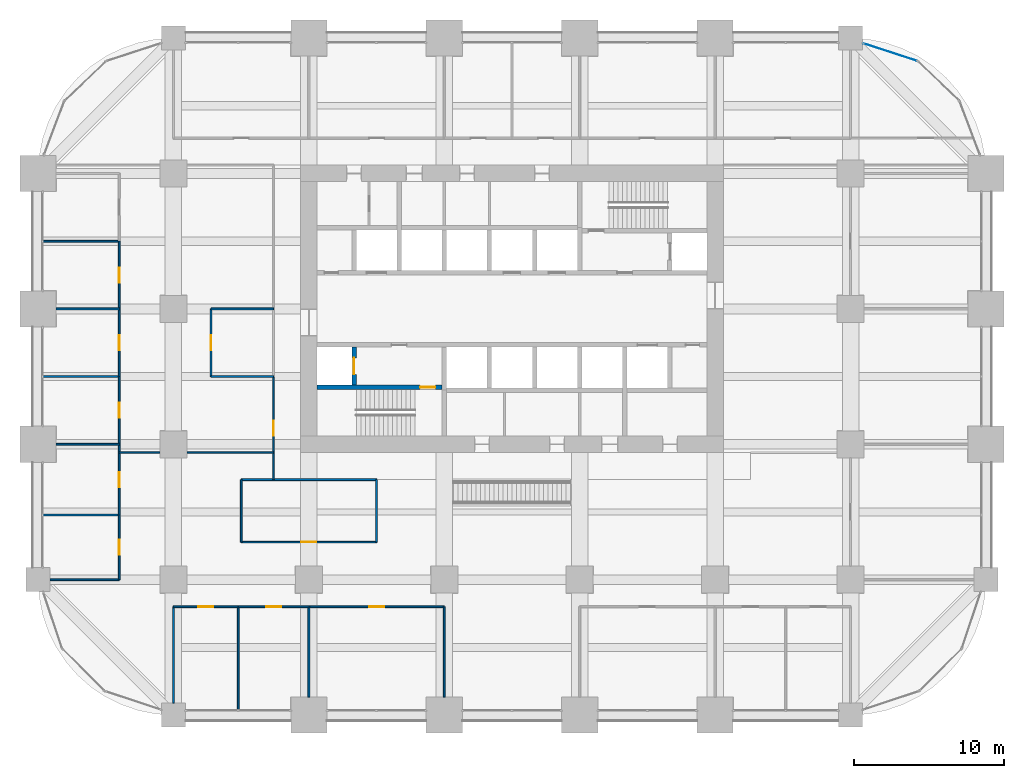
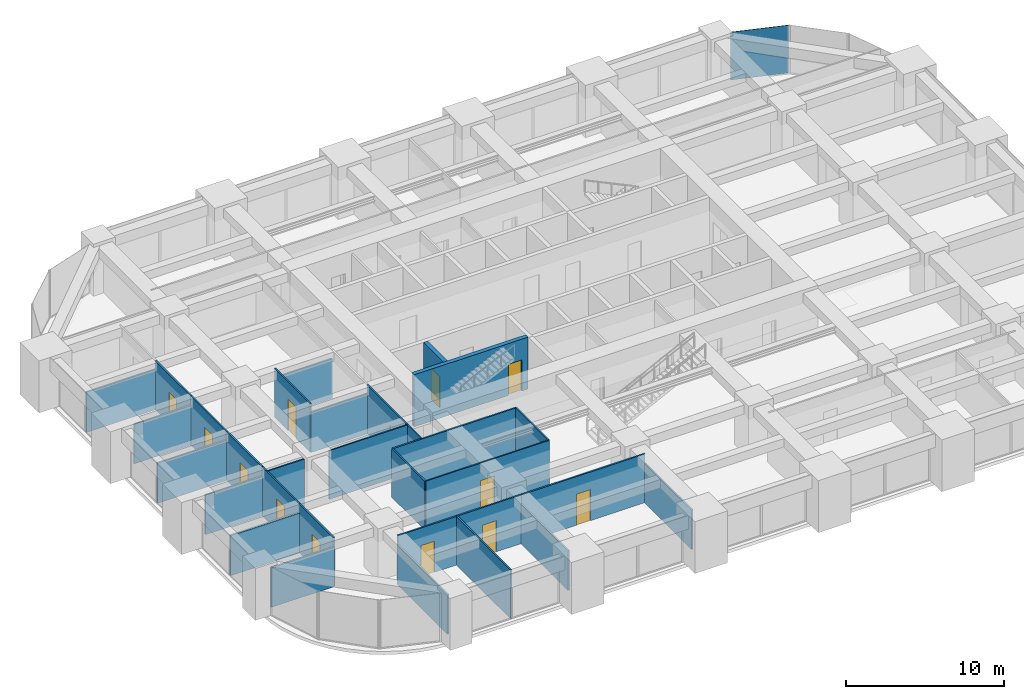
# One storey, part 36 of 41: 30 walls, 13 doors, 1 plate, 13 openings, 1 element without a shape of its own.
"""IFC4 building model written with IfcOpenShell, lengths in metres."""

from ifc_helpers import new_model, si_unit, direction, frame, frame_2d, origin, origin_2d, place, context, subcontext, project, spatial, rectangle, extrude, material, layer, layer_set, type_object, element, fill, aggregate, save


model = new_model("IFC4")

# Units and contexts
model_context = context("Model", 3, precision=1e-05, world=origin(), true_north=direction((0.0, 1.0)))
body_context = subcontext(model_context, "Body", "Model", "MODEL_VIEW")
ifc_project = project(units=[si_unit("LENGTHUNIT", "METRE"), si_unit("AREAUNIT", "SQUARE_METRE"), si_unit("VOLUMEUNIT", "CUBIC_METRE"), si_unit("PLANEANGLEUNIT", "RADIAN"), si_unit("MASSUNIT", "GRAM", prefix="KILO")], contexts=[model_context])

# Site, building, storey
site_placement = place(None, origin())
site = spatial("IfcSite", under=ifc_project, at=site_placement, CompositionType="ELEMENT")
building_placement = place(site_placement, origin())
building = spatial("IfcBuilding", under=site, at=building_placement, Name="Zorevar Civic Tower", CompositionType="ELEMENT")
storey_placement = place(building_placement, frame((0.0, 0.0, 137.0)))
storey = spatial("IfcBuildingStorey", under=building, at=storey_placement, Name="L33", CompositionType="ELEMENT", Elevation=137.0)

# Curtain wall, plate
ifc_material_1 = material(Name="Dark grey solar-control glass in black aluminium frame", Category="aluminium")
curtain_wall_type = type_object("IfcCurtainWallType", Name="Curtain wall CW3 mid zone", PredefinedType="NOTDEFINED", material=ifc_material_1)
curtain_wall_placement = place(storey_placement, origin())
curtain_wall = element("IfcCurtainWall", 1, at=curtain_wall_placement, inside=storey, type_object=curtain_wall_type, Name="CW3 L33", PredefinedType="NOTDEFINED")
ifc_material_2 = material(Name="Dark grey solar-control glass", Category="glass")
ifc_layer_1 = layer(ifc_material_2, 0.030029296875)
ifc_layer_set_1 = layer_set([ifc_layer_1], Name="CW3 panel 30")
plate_type = type_object("IfcPlateType", Name="CW3 panel 30", PredefinedType="CURTAIN_PANEL", material=ifc_layer_set_1)
plate_placement = place(storey_placement, frame((56.63232421875, 44.065185546875, 0.06005859375), z_axis=(0.0, 0.0, 1.0), x_axis=(-0.950650706548, 0.310263169163, 0.0)))
plate = element("IfcPlate", 2, at=plate_placement, type_object=plate_type, Name="CW3 panel 1.1", PredefinedType="CURTAIN_PANEL", context=body_context, shape_type="SweptSolid", body=[
    extrude(rectangle(XDim=3.734619140625, YDim=0.030029296875, at=origin_2d()), origin(), (0.0, 0.0, 1.0), 3.68994140625),
])
aggregate(curtain_wall, [plate])

# Wall, opening, door
ifc_material_3 = material(Name="Laminated glass in black aluminium frame", Category="aluminium")
ifc_layer_2 = layer(ifc_material_3, 0.10009765625)
ifc_layer_set_2 = layer_set([ifc_layer_2], Name="Glazed partition 100")
wall_type_1 = type_object("IfcWallType", Name="Glazed partition 100", PredefinedType="PARTITIONING", material=ifc_layer_set_2)
wall_1_placement = place(storey_placement, frame((13.5, 11.5, 0.0), z_axis=(0.0, 0.0, 1.0), x_axis=(1.0, 0.0, 0.0)))
wall_1 = element("IfcWall", 3, at=wall_1_placement, inside=storey, type_object=wall_type_1, Name="Glazed partition 100 L33", PredefinedType="PARTITIONING", context=body_context, shape_type="SweptSolid", body=[
    extrude(rectangle(XDim=9.0, YDim=0.10009765625, at=frame_2d((4.5, 0.0))), origin(), (0.0, 0.0, 1.0), 3.75),
])
opening_1_placement = place(wall_1_placement, frame((4.0, 0.0, 0.0)))
opening_1 = element("IfcOpeningElement", 4, at=opening_1_placement, cuts=wall_1, Name="Opening L33.23", PredefinedType="OPENING", context=body_context, shape_type="SweptSolid", body=[
    extrude(rectangle(XDim=1.0, YDim=2.39990234375, at=frame_2d((0.5, 1.199951171875))), frame((0.0, 0.06005859375, 0.0), z_axis=(0.0, -1.0, 0.0), x_axis=(1.0, 0.0, 0.0)), (0.0, 0.0, 1.0), 0.1201171875),
])
ifc_material_4 = material(Name="Timber door set", Category="wood")
door_type_1 = type_object("IfcDoorType", Name="Glazed door GD1 1000x2400", OperationType="SINGLE_SWING_LEFT", PredefinedType="DOOR", material=ifc_material_4)
door_1_placement = place(opening_1_placement, origin())
door_1 = element("IfcDoor", 5, at=door_1_placement, inside=storey, type_object=door_type_1, Name="Door L33 D1", OperationType="SINGLE_SWING_LEFT", OverallHeight=2.39990234375, OverallWidth=1.0, PredefinedType="DOOR", context=body_context, shape_type="SweptSolid", body=[
    extrude(rectangle(XDim=1.0, YDim=2.39990234375, at=frame_2d((0.5, 1.199951171875))), frame((0.0, 0.02001953125, 0.0), z_axis=(0.0, -1.0, 0.0), x_axis=(1.0, 0.0, 0.0)), (0.0, 0.0, 1.0), 0.0400390625),
])
fill(opening_1, door_1)

# Walls
wall_2_placement = place(storey_placement, frame((5.389892578125, 17.449951171875, 0.0), z_axis=(0.0, 0.0, 1.0), x_axis=(1.0, 0.0, 0.0)))
element("IfcWall", 6, at=wall_2_placement, inside=storey, type_object=wall_type_1, Name="Glazed partition 100 L33", PredefinedType="PARTITIONING", context=body_context, shape_type="SweptSolid", body=[
    extrude(rectangle(XDim=2.710205078125, YDim=0.10009765625, at=frame_2d((1.35498046875, 0.0))), origin(), (0.0, 0.0, 1.0), 3.75),
])
wall_3_placement = place(storey_placement, frame((9.89990234375, 17.449951171875, 0.0), z_axis=(0.0, 0.0, 1.0), x_axis=(1.0, 0.0, 0.0)))
element("IfcWall", 7, at=wall_3_placement, inside=storey, type_object=wall_type_1, Name="Glazed partition 100 L33", PredefinedType="PARTITIONING", context=body_context, shape_type="SweptSolid", body=[
    extrude(rectangle(XDim=5.75, YDim=0.10009765625, at=frame_2d((2.875, 0.0))), origin(), (0.0, 0.0, 1.0), 3.75),
])

# Wall, opening, door
wall_4_placement = place(storey_placement, frame((15.64990234375, 15.64990234375, 0.0), z_axis=(0.0, 0.0, 1.0), x_axis=(0.0, 1.0, 0.0)))
wall_4 = element("IfcWall", 8, at=wall_4_placement, inside=storey, type_object=wall_type_1, Name="Glazed partition 100 L33", PredefinedType="PARTITIONING", context=body_context, shape_type="SweptSolid", body=[
    extrude(rectangle(XDim=6.85009765625, YDim=0.10009765625, at=frame_2d((3.425048828125, 0.0))), origin(), (0.0, 0.0, 1.0), 3.75),
])
opening_2_placement = place(wall_4_placement, frame((2.925048828125, 0.0, 0.0)))
opening_2 = element("IfcOpeningElement", 9, at=opening_2_placement, cuts=wall_4, Name="Opening L33.38", PredefinedType="OPENING", context=body_context, shape_type="SweptSolid", body=[
    extrude(rectangle(XDim=1.0, YDim=2.39990234375, at=frame_2d((0.5, 1.199951171875))), frame((0.0, 0.06005859375, 0.0), z_axis=(0.0, -1.0, 0.0), x_axis=(1.0, 0.0, 0.0)), (0.0, 0.0, 1.0), 0.1201171875),
])
door_2_placement = place(opening_2_placement, origin())
door_2 = element("IfcDoor", 10, at=door_2_placement, inside=storey, type_object=door_type_1, Name="Door L33 D1", OperationType="SINGLE_SWING_RIGHT", OverallHeight=2.39990234375, OverallWidth=1.0, PredefinedType="DOOR", context=body_context, shape_type="SweptSolid", body=[
    extrude(rectangle(XDim=1.0, YDim=2.39990234375, at=frame_2d((0.5, 1.199951171875))), frame((0.0, 0.02001953125, 0.0), z_axis=(0.0, -1.0, 0.0), x_axis=(1.0, 0.0, 0.0)), (0.0, 0.0, 1.0), 0.0400390625),
])
fill(opening_2, door_2)

ifc_material_5 = material(Name="Concrete C40/50", Category="concrete")
ifc_layer_3 = layer(ifc_material_5, 0.300048828125)
ifc_layer_set_3 = layer_set([ifc_layer_3], Name="Inner core wall 300")
wall_type_2 = type_object("IfcWallType", Name="Inner core wall 300", PredefinedType="SHEAR", material=ifc_layer_set_3)
wall_5_placement = place(storey_placement, frame((18.550048828125, 21.800048828125, 0.0), z_axis=(0.0, 0.0, 1.0), x_axis=(1.0, 0.0, 0.0)))
wall_5 = element("IfcWall", 11, at=wall_5_placement, inside=storey, type_object=wall_type_2, Name="Inner core wall S00 L33", PredefinedType="SHEAR", context=body_context, shape_type="SweptSolid", body=[
    extrude(rectangle(XDim=8.300048828125, YDim=0.300048828125, at=frame_2d((4.14990234375, 0.0))), origin(), (0.0, 0.0, 1.0), 4.0),
])
opening_3_placement = place(wall_5_placement, frame((6.85009765625, 0.0, 0.0)))
opening_3 = element("IfcOpeningElement", 12, at=opening_3_placement, cuts=wall_5, Name="Opening L33.11", PredefinedType="OPENING", context=body_context, shape_type="SweptSolid", body=[
    extrude(rectangle(XDim=1.0, YDim=2.39990234375, at=frame_2d((0.5, 1.199951171875))), frame((0.0, 0.159912109375, 0.0), z_axis=(0.0, -1.0, 0.0), x_axis=(1.0, 0.0, 0.0)), (0.0, 0.0, 1.0), 0.320068359375),
])
ifc_material_6 = material(Name="Steel door set", Category="steel")
door_type_2 = type_object("IfcDoorType", Name="Fire door FD1 1000x2400", OperationType="SINGLE_SWING_LEFT", PredefinedType="DOOR", material=ifc_material_6)
door_3_placement = place(opening_3_placement, origin())
door_3 = element("IfcDoor", 13, at=door_3_placement, inside=storey, type_object=door_type_2, Name="Door L33 10", OperationType="SINGLE_SWING_RIGHT", OverallHeight=2.39990234375, OverallWidth=1.0, PredefinedType="DOOR", context=body_context, shape_type="SweptSolid", body=[
    extrude(rectangle(XDim=1.0, YDim=2.39990234375, at=frame_2d((0.5, 1.199951171875))), frame((0.0, 0.030029296875, 0.0), z_axis=(0.0, -1.0, 0.0), x_axis=(1.0, 0.0, 0.0)), (0.0, 0.0, 1.0), 0.06005859375),
])
fill(opening_3, door_3)

wall_6_placement = place(storey_placement, frame((21.0, 21.949951171875, 0.0), z_axis=(0.0, 0.0, 1.0), x_axis=(0.0, 1.0, 0.0)))
wall_6 = element("IfcWall", 14, at=wall_6_placement, inside=storey, type_object=wall_type_2, Name="Inner core wall S02 L33", PredefinedType="SHEAR", context=body_context, shape_type="SweptSolid", body=[
    extrude(rectangle(XDim=2.5, YDim=0.300048828125, at=frame_2d((1.25, 0.0))), origin(), (0.0, 0.0, 1.0), 4.0),
])
opening_4_placement = place(wall_6_placement, frame((0.699951171875, 0.0, 0.0)))
opening_4 = element("IfcOpeningElement", 15, at=opening_4_placement, cuts=wall_6, Name="Opening L33.FL1", PredefinedType="OPENING", context=body_context, shape_type="SweptSolid", body=[
    extrude(rectangle(XDim=1.10009765625, YDim=2.39990234375, at=frame_2d((0.550048828125, 1.199951171875))), frame((0.0, 0.159912109375, 0.0), z_axis=(0.0, -1.0, 0.0), x_axis=(1.0, 0.0, 0.0)), (0.0, 0.0, 1.0), 0.320068359375),
])
ifc_material_7 = material(Name="Steel door set", Category="steel")
door_type_3 = type_object("IfcDoorType", Name="Firefighting lift landing door LD3 1100x2400", OperationType="DOUBLE_DOOR_SLIDING", PredefinedType="DOOR", material=ifc_material_7)
door_4_placement = place(opening_4_placement, origin())
door_4 = element("IfcDoor", 16, at=door_4_placement, inside=storey, type_object=door_type_3, Name="Landing door FL1 L33", OperationType="DOUBLE_DOOR_SLIDING", OverallHeight=2.39990234375, OverallWidth=1.10009765625, PredefinedType="DOOR", context=body_context, shape_type="SweptSolid", body=[
    extrude(rectangle(XDim=1.10009765625, YDim=2.39990234375, at=frame_2d((0.550048828125, 1.199951171875))), frame((0.0, 0.030029296875, 0.0), z_axis=(0.0, -1.0, 0.0), x_axis=(1.0, 0.0, 0.0)), (0.0, 0.0, 1.0), 0.06005859375),
])
fill(opening_4, door_4)

ifc_material_8 = material(Name="Gypsum board on steel studs", Category="steel")
ifc_layer_4 = layer(ifc_material_8, 0.1201171875)
ifc_layer_set_4 = layer_set([ifc_layer_4], Name="Partition 120")
wall_type_3 = type_object("IfcWallType", Name="Partition 120", PredefinedType="PARTITIONING", material=ifc_layer_set_4)
wall_7_placement = place(storey_placement, frame((9.0, 7.199951171875, 0.0), z_axis=(0.0, 0.0, 1.0), x_axis=(1.0, 0.0, 0.0)))
wall_7 = element("IfcWall", 17, at=wall_7_placement, inside=storey, type_object=wall_type_3, Name="Partition 120 L33", PredefinedType="PARTITIONING", context=body_context, shape_type="SweptSolid", body=[
    extrude(rectangle(XDim=4.300048828125, YDim=0.1201171875, at=frame_2d((2.14990234375, 0.0))), origin(), (0.0, 0.0, 1.0), 3.75),
])
opening_5_placement = place(wall_7_placement, frame((1.64990234375, 0.0, 0.0)))
opening_5 = element("IfcOpeningElement", 18, at=opening_5_placement, cuts=wall_7, Name="Opening L33.17", PredefinedType="OPENING", context=body_context, shape_type="SweptSolid", body=[
    extrude(rectangle(XDim=1.0, YDim=2.39990234375, at=frame_2d((0.5, 1.199951171875))), frame((0.0, 0.070068359375, 0.0), z_axis=(0.0, -1.0, 0.0), x_axis=(1.0, 0.0, 0.0)), (0.0, 0.0, 1.0), 0.14013671875),
])
ifc_material_9 = material(Name="Timber door set", Category="wood")
door_type_4 = type_object("IfcDoorType", Name="Door D1 1000x2400", OperationType="SINGLE_SWING_LEFT", PredefinedType="DOOR", material=ifc_material_9)
door_5_placement = place(opening_5_placement, origin())
door_5 = element("IfcDoor", 19, at=door_5_placement, inside=storey, type_object=door_type_4, Name="Door L33 D1", OperationType="SINGLE_SWING_RIGHT", OverallHeight=2.39990234375, OverallWidth=1.0, PredefinedType="DOOR", context=body_context, shape_type="SweptSolid", body=[
    extrude(rectangle(XDim=1.0, YDim=2.39990234375, at=frame_2d((0.5, 1.199951171875))), frame((0.0, 0.02490234375, 0.0), z_axis=(0.0, -1.0, 0.0), x_axis=(1.0, 0.0, 0.0)), (0.0, 0.0, 1.0), 0.050048828125),
])
fill(opening_5, door_5)

wall_8_placement = place(storey_placement, frame((13.300048828125, 7.199951171875, 0.0), z_axis=(0.0, 0.0, 1.0), x_axis=(1.0, 0.0, 0.0)))
wall_8 = element("IfcWall", 20, at=wall_8_placement, inside=storey, type_object=wall_type_3, Name="Partition 120 L33", PredefinedType="PARTITIONING", context=body_context, shape_type="SweptSolid", body=[
    extrude(rectangle(XDim=4.699951171875, YDim=0.1201171875, at=frame_2d((2.35009765625, 0.0))), origin(), (0.0, 0.0, 1.0), 3.75),
])
opening_6_placement = place(wall_8_placement, frame((1.85009765625, 0.0, 0.0)))
opening_6 = element("IfcOpeningElement", 21, at=opening_6_placement, cuts=wall_8, Name="Opening L33.18", PredefinedType="OPENING", context=body_context, shape_type="SweptSolid", body=[
    extrude(rectangle(XDim=1.0, YDim=2.39990234375, at=frame_2d((0.5, 1.199951171875))), frame((0.0, 0.070068359375, 0.0), z_axis=(0.0, -1.0, 0.0), x_axis=(1.0, 0.0, 0.0)), (0.0, 0.0, 1.0), 0.14013671875),
])
door_6_placement = place(opening_6_placement, origin())
door_6 = element("IfcDoor", 22, at=door_6_placement, inside=storey, type_object=door_type_4, Name="Door L33 D1", OperationType="SINGLE_SWING_RIGHT", OverallHeight=2.39990234375, OverallWidth=1.0, PredefinedType="DOOR", context=body_context, shape_type="SweptSolid", body=[
    extrude(rectangle(XDim=1.0, YDim=2.39990234375, at=frame_2d((0.5, 1.199951171875))), frame((0.0, 0.02490234375, 0.0), z_axis=(0.0, -1.0, 0.0), x_axis=(1.0, 0.0, 0.0)), (0.0, 0.0, 1.0), 0.050048828125),
])
fill(opening_6, door_6)

wall_9_placement = place(storey_placement, frame((18.0, 7.199951171875, 0.0), z_axis=(0.0, 0.0, 1.0), x_axis=(1.0, 0.0, 0.0)))
wall_9 = element("IfcWall", 23, at=wall_9_placement, inside=storey, type_object=wall_type_3, Name="Partition 120 L33", PredefinedType="PARTITIONING", context=body_context, shape_type="SweptSolid", body=[
    extrude(rectangle(XDim=9.0, YDim=0.1201171875, at=frame_2d((4.5, 0.0))), origin(), (0.0, 0.0, 1.0), 3.75),
])
opening_7_placement = place(wall_9_placement, frame((4.0, 0.0, 0.0)))
opening_7 = element("IfcOpeningElement", 24, at=opening_7_placement, cuts=wall_9, Name="Opening L33.19", PredefinedType="OPENING", context=body_context, shape_type="SweptSolid", body=[
    extrude(rectangle(XDim=1.0, YDim=2.39990234375, at=frame_2d((0.5, 1.199951171875))), frame((0.0, 0.070068359375, 0.0), z_axis=(0.0, -1.0, 0.0), x_axis=(1.0, 0.0, 0.0)), (0.0, 0.0, 1.0), 0.14013671875),
])
door_7_placement = place(opening_7_placement, origin())
door_7 = element("IfcDoor", 25, at=door_7_placement, inside=storey, type_object=door_type_4, Name="Door L33 D1", OperationType="SINGLE_SWING_RIGHT", OverallHeight=2.39990234375, OverallWidth=1.0, PredefinedType="DOOR", context=body_context, shape_type="SweptSolid", body=[
    extrude(rectangle(XDim=1.0, YDim=2.39990234375, at=frame_2d((0.5, 1.199951171875))), frame((0.0, 0.02490234375, 0.0), z_axis=(0.0, -1.0, 0.0), x_axis=(1.0, 0.0, 0.0)), (0.0, 0.0, 1.0), 0.050048828125),
])
fill(opening_7, door_7)

# Walls
wall_10_placement = place(storey_placement, frame((0.800048828125, 9.0, 0.0), z_axis=(0.0, 0.0, 1.0), x_axis=(1.0, 0.0, 0.0)))
element("IfcWall", 26, at=wall_10_placement, inside=storey, type_object=wall_type_3, Name="Partition 120 L33", PredefinedType="PARTITIONING", context=body_context, shape_type="SweptSolid", body=[
    extrude(rectangle(XDim=4.599853515625, YDim=0.1201171875, at=frame_2d((2.2998046875, 0.0))), origin(), (0.0, 0.0, 1.0), 3.050048828125),
])
wall_11_placement = place(storey_placement, frame((0.31005859375, 13.300048828125, 0.0), z_axis=(0.0, 0.0, 1.0), x_axis=(1.0, 0.0, 0.0)))
element("IfcWall", 27, at=wall_11_placement, inside=storey, type_object=wall_type_3, Name="Partition 120 L33", PredefinedType="PARTITIONING", context=body_context, shape_type="SweptSolid", body=[
    extrude(rectangle(XDim=5.08984375, YDim=0.1201171875, at=frame_2d((2.544921875, 0.0))), origin(), (0.0, 0.0, 1.0), 3.10009765625),
])
wall_12_placement = place(storey_placement, frame((13.5, 15.64990234375, 0.0), z_axis=(0.0, 0.0, 1.0), x_axis=(1.0, 0.0, 0.0)))
element("IfcWall", 28, at=wall_12_placement, inside=storey, type_object=wall_type_3, Name="Partition 120 L33", PredefinedType="PARTITIONING", context=body_context, shape_type="SweptSolid", body=[
    extrude(rectangle(XDim=9.0, YDim=0.1201171875, at=frame_2d((4.5, 0.0))), origin(), (0.0, 0.0, 1.0), 3.75),
])
wall_13_placement = place(storey_placement, frame((1.199951171875, 18.0, 0.0), z_axis=(0.0, 0.0, 1.0), x_axis=(1.0, 0.0, 0.0)))
element("IfcWall", 29, at=wall_13_placement, inside=storey, type_object=wall_type_3, Name="Partition 120 L33", PredefinedType="PARTITIONING", context=body_context, shape_type="SweptSolid", body=[
    extrude(rectangle(XDim=4.199951171875, YDim=0.1201171875, at=frame_2d((2.10009765625, 0.0))), origin(), (0.0, 0.0, 1.0), 3.050048828125),
])
wall_14_placement = place(storey_placement, frame((0.31005859375, 22.5, 0.0), z_axis=(0.0, 0.0, 1.0), x_axis=(1.0, 0.0, 0.0)))
element("IfcWall", 30, at=wall_14_placement, inside=storey, type_object=wall_type_3, Name="Partition 120 L33", PredefinedType="PARTITIONING", context=body_context, shape_type="SweptSolid", body=[
    extrude(rectangle(XDim=5.08984375, YDim=0.1201171875, at=frame_2d((2.544921875, 0.0))), origin(), (0.0, 0.0, 1.0), 3.10009765625),
])
wall_15_placement = place(storey_placement, frame((11.5, 22.5, 0.0), z_axis=(0.0, 0.0, 1.0), x_axis=(1.0, 0.0, 0.0)))
element("IfcWall", 31, at=wall_15_placement, inside=storey, type_object=wall_type_3, Name="Partition 120 L33", PredefinedType="PARTITIONING", context=body_context, shape_type="SweptSolid", body=[
    extrude(rectangle(XDim=4.14990234375, YDim=0.1201171875, at=frame_2d((2.074951171875, 0.0))), origin(), (0.0, 0.0, 1.0), 3.10009765625),
])
wall_16_placement = place(storey_placement, frame((1.199951171875, 27.0, 0.0), z_axis=(0.0, 0.0, 1.0), x_axis=(1.0, 0.0, 0.0)))
element("IfcWall", 32, at=wall_16_placement, inside=storey, type_object=wall_type_3, Name="Partition 120 L33", PredefinedType="PARTITIONING", context=body_context, shape_type="SweptSolid", body=[
    extrude(rectangle(XDim=4.199951171875, YDim=0.1201171875, at=frame_2d((2.10009765625, 0.0))), origin(), (0.0, 0.0, 1.0), 3.050048828125),
])
wall_17_placement = place(storey_placement, frame((11.5, 27.0, 0.0), z_axis=(0.0, 0.0, 1.0), x_axis=(1.0, 0.0, 0.0)))
element("IfcWall", 33, at=wall_17_placement, inside=storey, type_object=wall_type_3, Name="Partition 120 L33", PredefinedType="PARTITIONING", context=body_context, shape_type="SweptSolid", body=[
    extrude(rectangle(XDim=4.14990234375, YDim=0.1201171875, at=frame_2d((2.074951171875, 0.0))), origin(), (0.0, 0.0, 1.0), 3.050048828125),
])
wall_18_placement = place(storey_placement, frame((0.31005859375, 31.5, 0.0), z_axis=(0.0, 0.0, 1.0), x_axis=(1.0, 0.0, 0.0)))
element("IfcWall", 34, at=wall_18_placement, inside=storey, type_object=wall_type_3, Name="Partition 120 L33", PredefinedType="PARTITIONING", context=body_context, shape_type="SweptSolid", body=[
    extrude(rectangle(XDim=5.08984375, YDim=0.1201171875, at=frame_2d((2.544921875, 0.0))), origin(), (0.0, 0.0, 1.0), 3.10009765625),
])

# Wall, opening, door
wall_19_placement = place(storey_placement, frame((5.39990234375, 9.0, 0.0), z_axis=(0.0, 0.0, 1.0), x_axis=(0.0, 1.0, 0.0)))
wall_19 = element("IfcWall", 35, at=wall_19_placement, inside=storey, type_object=wall_type_3, Name="Partition 120 L33", PredefinedType="PARTITIONING", context=body_context, shape_type="SweptSolid", body=[
    extrude(rectangle(XDim=4.300048828125, YDim=0.1201171875, at=frame_2d((2.14990234375, 0.0))), origin(), (0.0, 0.0, 1.0), 3.75),
])
opening_8_placement = place(wall_19_placement, frame((1.64990234375, 0.0, 0.0)))
opening_8 = element("IfcOpeningElement", 36, at=opening_8_placement, cuts=wall_19, Name="Opening L33.31", PredefinedType="OPENING", context=body_context, shape_type="SweptSolid", body=[
    extrude(rectangle(XDim=1.0, YDim=2.39990234375, at=frame_2d((0.5, 1.199951171875))), frame((0.0, 0.070068359375, 0.0), z_axis=(0.0, -1.0, 0.0), x_axis=(1.0, 0.0, 0.0)), (0.0, 0.0, 1.0), 0.14013671875),
])
door_8_placement = place(opening_8_placement, origin())
door_8 = element("IfcDoor", 37, at=door_8_placement, inside=storey, type_object=door_type_4, Name="Door L33 D1", OperationType="SINGLE_SWING_RIGHT", OverallHeight=2.39990234375, OverallWidth=1.0, PredefinedType="DOOR", context=body_context, shape_type="SweptSolid", body=[
    extrude(rectangle(XDim=1.0, YDim=2.39990234375, at=frame_2d((0.5, 1.199951171875))), frame((0.0, 0.02490234375, 0.0), z_axis=(0.0, -1.0, 0.0), x_axis=(1.0, 0.0, 0.0)), (0.0, 0.0, 1.0), 0.050048828125),
])
fill(opening_8, door_8)

wall_20_placement = place(storey_placement, frame((5.39990234375, 13.300048828125, 0.0), z_axis=(0.0, 0.0, 1.0), x_axis=(0.0, 1.0, 0.0)))
wall_20 = element("IfcWall", 38, at=wall_20_placement, inside=storey, type_object=wall_type_3, Name="Partition 120 L33", PredefinedType="PARTITIONING", context=body_context, shape_type="SweptSolid", body=[
    extrude(rectangle(XDim=4.699951171875, YDim=0.1201171875, at=frame_2d((2.35009765625, 0.0))), origin(), (0.0, 0.0, 1.0), 3.75),
])
opening_9_placement = place(wall_20_placement, frame((1.85009765625, 0.0, 0.0)))
opening_9 = element("IfcOpeningElement", 39, at=opening_9_placement, cuts=wall_20, Name="Opening L33.32", PredefinedType="OPENING", context=body_context, shape_type="SweptSolid", body=[
    extrude(rectangle(XDim=1.0, YDim=2.39990234375, at=frame_2d((0.5, 1.199951171875))), frame((0.0, 0.070068359375, 0.0), z_axis=(0.0, -1.0, 0.0), x_axis=(1.0, 0.0, 0.0)), (0.0, 0.0, 1.0), 0.14013671875),
])
door_9_placement = place(opening_9_placement, origin())
door_9 = element("IfcDoor", 40, at=door_9_placement, inside=storey, type_object=door_type_4, Name="Door L33 D1", OperationType="SINGLE_SWING_RIGHT", OverallHeight=2.39990234375, OverallWidth=1.0, PredefinedType="DOOR", context=body_context, shape_type="SweptSolid", body=[
    extrude(rectangle(XDim=1.0, YDim=2.39990234375, at=frame_2d((0.5, 1.199951171875))), frame((0.0, 0.02490234375, 0.0), z_axis=(0.0, -1.0, 0.0), x_axis=(1.0, 0.0, 0.0)), (0.0, 0.0, 1.0), 0.050048828125),
])
fill(opening_9, door_9)

wall_21_placement = place(storey_placement, frame((5.39990234375, 18.0, 0.0), z_axis=(0.0, 0.0, 1.0), x_axis=(0.0, 1.0, 0.0)))
wall_21 = element("IfcWall", 41, at=wall_21_placement, inside=storey, type_object=wall_type_3, Name="Partition 120 L33", PredefinedType="PARTITIONING", context=body_context, shape_type="SweptSolid", body=[
    extrude(rectangle(XDim=4.5, YDim=0.1201171875, at=frame_2d((2.25, 0.0))), origin(), (0.0, 0.0, 1.0), 3.75),
])
opening_10_placement = place(wall_21_placement, frame((1.75, 0.0, 0.0)))
opening_10 = element("IfcOpeningElement", 42, at=opening_10_placement, cuts=wall_21, Name="Opening L33.33", PredefinedType="OPENING", context=body_context, shape_type="SweptSolid", body=[
    extrude(rectangle(XDim=1.0, YDim=2.39990234375, at=frame_2d((0.5, 1.199951171875))), frame((0.0, 0.070068359375, 0.0), z_axis=(0.0, -1.0, 0.0), x_axis=(1.0, 0.0, 0.0)), (0.0, 0.0, 1.0), 0.14013671875),
])
door_10_placement = place(opening_10_placement, origin())
door_10 = element("IfcDoor", 43, at=door_10_placement, inside=storey, type_object=door_type_4, Name="Door L33 D1", OperationType="SINGLE_SWING_LEFT", OverallHeight=2.39990234375, OverallWidth=1.0, PredefinedType="DOOR", context=body_context, shape_type="SweptSolid", body=[
    extrude(rectangle(XDim=1.0, YDim=2.39990234375, at=frame_2d((0.5, 1.199951171875))), frame((0.0, 0.02490234375, 0.0), z_axis=(0.0, -1.0, 0.0), x_axis=(1.0, 0.0, 0.0)), (0.0, 0.0, 1.0), 0.050048828125),
])
fill(opening_10, door_10)

wall_22_placement = place(storey_placement, frame((5.39990234375, 22.5, 0.0), z_axis=(0.0, 0.0, 1.0), x_axis=(0.0, 1.0, 0.0)))
wall_22 = element("IfcWall", 44, at=wall_22_placement, inside=storey, type_object=wall_type_3, Name="Partition 120 L33", PredefinedType="PARTITIONING", context=body_context, shape_type="SweptSolid", body=[
    extrude(rectangle(XDim=4.5, YDim=0.1201171875, at=frame_2d((2.25, 0.0))), origin(), (0.0, 0.0, 1.0), 3.75),
])
opening_11_placement = place(wall_22_placement, frame((1.75, 0.0, 0.0)))
opening_11 = element("IfcOpeningElement", 45, at=opening_11_placement, cuts=wall_22, Name="Opening L33.34", PredefinedType="OPENING", context=body_context, shape_type="SweptSolid", body=[
    extrude(rectangle(XDim=1.0, YDim=2.39990234375, at=frame_2d((0.5, 1.199951171875))), frame((0.0, 0.070068359375, 0.0), z_axis=(0.0, -1.0, 0.0), x_axis=(1.0, 0.0, 0.0)), (0.0, 0.0, 1.0), 0.14013671875),
])
door_11_placement = place(opening_11_placement, origin())
door_11 = element("IfcDoor", 46, at=door_11_placement, inside=storey, type_object=door_type_4, Name="Door L33 D1", OperationType="SINGLE_SWING_LEFT", OverallHeight=2.39990234375, OverallWidth=1.0, PredefinedType="DOOR", context=body_context, shape_type="SweptSolid", body=[
    extrude(rectangle(XDim=1.0, YDim=2.39990234375, at=frame_2d((0.5, 1.199951171875))), frame((0.0, 0.02490234375, 0.0), z_axis=(0.0, -1.0, 0.0), x_axis=(1.0, 0.0, 0.0)), (0.0, 0.0, 1.0), 0.050048828125),
])
fill(opening_11, door_11)

wall_23_placement = place(storey_placement, frame((5.39990234375, 27.0, 0.0), z_axis=(0.0, 0.0, 1.0), x_axis=(0.0, 1.0, 0.0)))
wall_23 = element("IfcWall", 47, at=wall_23_placement, inside=storey, type_object=wall_type_3, Name="Partition 120 L33", PredefinedType="PARTITIONING", context=body_context, shape_type="SweptSolid", body=[
    extrude(rectangle(XDim=4.5, YDim=0.1201171875, at=frame_2d((2.25, 0.0))), origin(), (0.0, 0.0, 1.0), 3.75),
])
opening_12_placement = place(wall_23_placement, frame((1.75, 0.0, 0.0)))
opening_12 = element("IfcOpeningElement", 48, at=opening_12_placement, cuts=wall_23, Name="Opening L33.35", PredefinedType="OPENING", context=body_context, shape_type="SweptSolid", body=[
    extrude(rectangle(XDim=1.0, YDim=2.39990234375, at=frame_2d((0.5, 1.199951171875))), frame((0.0, 0.070068359375, 0.0), z_axis=(0.0, -1.0, 0.0), x_axis=(1.0, 0.0, 0.0)), (0.0, 0.0, 1.0), 0.14013671875),
])
door_12_placement = place(opening_12_placement, origin())
door_12 = element("IfcDoor", 49, at=door_12_placement, inside=storey, type_object=door_type_4, Name="Door L33 D1", OperationType="SINGLE_SWING_RIGHT", OverallHeight=2.39990234375, OverallWidth=1.0, PredefinedType="DOOR", context=body_context, shape_type="SweptSolid", body=[
    extrude(rectangle(XDim=1.0, YDim=2.39990234375, at=frame_2d((0.5, 1.199951171875))), frame((0.0, 0.02490234375, 0.0), z_axis=(0.0, -1.0, 0.0), x_axis=(1.0, 0.0, 0.0)), (0.0, 0.0, 1.0), 0.050048828125),
])
fill(opening_12, door_12)

# Wall
wall_24_placement = place(storey_placement, frame((9.0, 0.800048828125, 0.0), z_axis=(0.0, 0.0, 1.0), x_axis=(0.0, 1.0, 0.0)))
element("IfcWall", 50, at=wall_24_placement, inside=storey, type_object=wall_type_3, Name="Partition 120 L33", PredefinedType="PARTITIONING", context=body_context, shape_type="SweptSolid", body=[
    extrude(rectangle(XDim=6.39990234375, YDim=0.1201171875, at=frame_2d((3.199951171875, 0.0))), origin(), (0.0, 0.0, 1.0), 3.050048828125),
])

# Wall, opening, door
wall_25_placement = place(storey_placement, frame((11.5, 22.5, 0.0), z_axis=(0.0, 0.0, 1.0), x_axis=(0.0, 1.0, 0.0)))
wall_25 = element("IfcWall", 51, at=wall_25_placement, inside=storey, type_object=wall_type_3, Name="Partition 120 L33", PredefinedType="PARTITIONING", context=body_context, shape_type="SweptSolid", body=[
    extrude(rectangle(XDim=4.5, YDim=0.1201171875, at=frame_2d((2.25, 0.0))), origin(), (0.0, 0.0, 1.0), 3.75),
])
opening_13_placement = place(wall_25_placement, frame((1.75, 0.0, 0.0)))
opening_13 = element("IfcOpeningElement", 52, at=opening_13_placement, cuts=wall_25, Name="Opening L33.37", PredefinedType="OPENING", context=body_context, shape_type="SweptSolid", body=[
    extrude(rectangle(XDim=1.0, YDim=2.39990234375, at=frame_2d((0.5, 1.199951171875))), frame((0.0, 0.070068359375, 0.0), z_axis=(0.0, -1.0, 0.0), x_axis=(1.0, 0.0, 0.0)), (0.0, 0.0, 1.0), 0.14013671875),
])
door_13_placement = place(opening_13_placement, origin())
door_13 = element("IfcDoor", 53, at=door_13_placement, inside=storey, type_object=door_type_4, Name="Door L33 D1", OperationType="SINGLE_SWING_RIGHT", OverallHeight=2.39990234375, OverallWidth=1.0, PredefinedType="DOOR", context=body_context, shape_type="SweptSolid", body=[
    extrude(rectangle(XDim=1.0, YDim=2.39990234375, at=frame_2d((0.5, 1.199951171875))), frame((0.0, 0.02490234375, 0.0), z_axis=(0.0, -1.0, 0.0), x_axis=(1.0, 0.0, 0.0)), (0.0, 0.0, 1.0), 0.050048828125),
])
fill(opening_13, door_13)

# Walls
wall_26_placement = place(storey_placement, frame((13.300048828125, 0.31005859375, 0.0), z_axis=(0.0, 0.0, 1.0), x_axis=(0.0, 1.0, 0.0)))
element("IfcWall", 54, at=wall_26_placement, inside=storey, type_object=wall_type_3, Name="Partition 120 L33", PredefinedType="PARTITIONING", context=body_context, shape_type="SweptSolid", body=[
    extrude(rectangle(XDim=6.889892578125, YDim=0.1201171875, at=frame_2d((3.44482421875, 0.0))), origin(), (0.0, 0.0, 1.0), 3.75),
])
wall_27_placement = place(storey_placement, frame((13.5, 11.5, 0.0), z_axis=(0.0, 0.0, 1.0), x_axis=(0.0, 1.0, 0.0)))
element("IfcWall", 55, at=wall_27_placement, inside=storey, type_object=wall_type_3, Name="Partition 120 L33", PredefinedType="PARTITIONING", context=body_context, shape_type="SweptSolid", body=[
    extrude(rectangle(XDim=4.14990234375, YDim=0.1201171875, at=frame_2d((2.074951171875, 0.0))), origin(), (0.0, 0.0, 1.0), 3.75),
])
wall_28_placement = place(storey_placement, frame((18.0, 1.199951171875, 0.0), z_axis=(0.0, 0.0, 1.0), x_axis=(0.0, 1.0, 0.0)))
element("IfcWall", 56, at=wall_28_placement, inside=storey, type_object=wall_type_3, Name="Partition 120 L33", PredefinedType="PARTITIONING", context=body_context, shape_type="SweptSolid", body=[
    extrude(rectangle(XDim=6.0, YDim=0.1201171875, at=frame_2d((3.0, 0.0))), origin(), (0.0, 0.0, 1.0), 3.050048828125),
])
wall_29_placement = place(storey_placement, frame((22.5, 11.5, 0.0), z_axis=(0.0, 0.0, 1.0), x_axis=(0.0, 1.0, 0.0)))
element("IfcWall", 57, at=wall_29_placement, inside=storey, type_object=wall_type_3, Name="Partition 120 L33", PredefinedType="PARTITIONING", context=body_context, shape_type="SweptSolid", body=[
    extrude(rectangle(XDim=4.14990234375, YDim=0.1201171875, at=frame_2d((2.074951171875, 0.0))), origin(), (0.0, 0.0, 1.0), 3.75),
])
wall_30_placement = place(storey_placement, frame((27.0, 1.199951171875, 0.0), z_axis=(0.0, 0.0, 1.0), x_axis=(0.0, 1.0, 0.0)))
element("IfcWall", 58, at=wall_30_placement, inside=storey, type_object=wall_type_3, Name="Partition 120 L33", PredefinedType="PARTITIONING", context=body_context, shape_type="SweptSolid", body=[
    extrude(rectangle(XDim=6.0, YDim=0.1201171875, at=frame_2d((3.0, 0.0))), origin(), (0.0, 0.0, 1.0), 3.050048828125),
])

save(model, "model.ifc")
